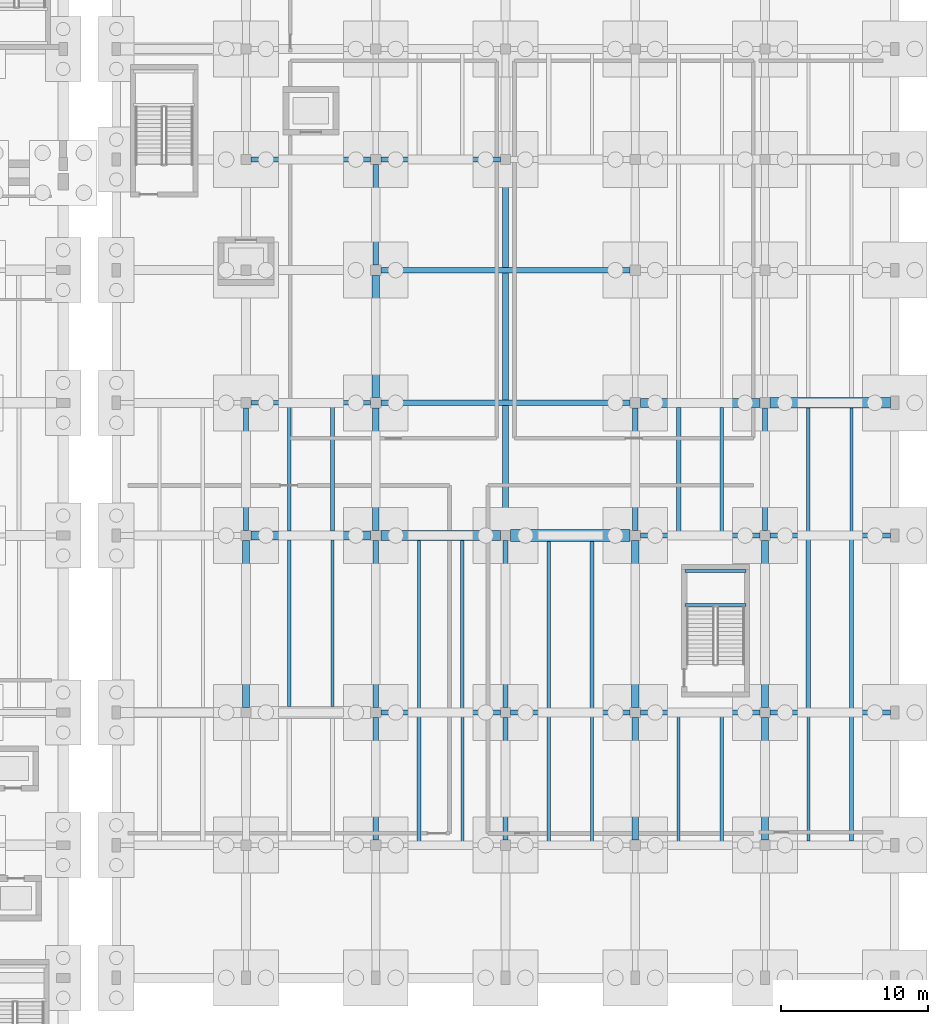
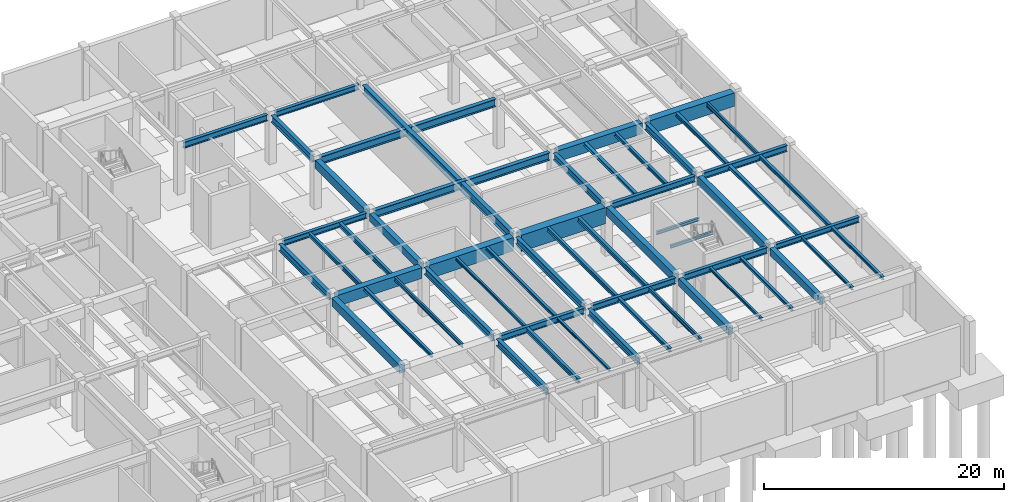
# One storey, part 40 of 69: 56 beams.
"""IFC4 building model written with IfcOpenShell, lengths in metres."""

from ifc_helpers import new_model, si_unit, direction, frame, origin, origin_2d, place, context, subcontext, project, spatial, rectangle, i_section, extrude, material, material_profile, profile_set, type_object, element, save


model = new_model("IFC4")

# Units and contexts
model_context = context("Model", 3, precision=1e-05, world=origin(), true_north=direction((0.0, 1.0)))
body_context = subcontext(model_context, "Body", "Model", "MODEL_VIEW")
ifc_project = project(units=[si_unit("LENGTHUNIT", "METRE"), si_unit("AREAUNIT", "SQUARE_METRE"), si_unit("VOLUMEUNIT", "CUBIC_METRE"), si_unit("PLANEANGLEUNIT", "RADIAN"), si_unit("MASSUNIT", "GRAM", prefix="KILO")], contexts=[model_context])

# Site, building, storey
site_placement = place(None, origin())
site = spatial("IfcSite", under=ifc_project, at=site_placement, CompositionType="ELEMENT")
building_placement = place(site_placement, origin())
building = spatial("IfcBuilding", under=site, at=building_placement, Name="Vaelkrest Opera House", CompositionType="ELEMENT")
storey_placement = place(building_placement, frame((0.0, 0.0, -5.39990234375)))
storey = spatial("IfcBuildingStorey", under=building, at=storey_placement, Name="B1", CompositionType="ELEMENT", Elevation=-5.39990234375)

# Beams
ifc_material_1 = material(Name="Concrete C50/60", Category="concrete")
ifc_material_profile_1 = material_profile(ifc_material_1, rectangle(XDim=0.449951171875, YDim=0.75, at=origin_2d()), Name="RCB450X750")
ifc_profile_set_1 = profile_set([ifc_material_profile_1], Name="Concrete C50/60")
beam_type_1 = type_object("IfcBeamType", Name="B02", PredefinedType="BEAM", material=ifc_profile_set_1)
for number, where, z_axis, x_axis, name in (
    (1, (51.199951171875, -7.449951171875, 4.6298828125), (0.0, 1.0, 0.0), (-1.0, 0.0, 0.0), "Beam BM-V4-B1-1871"),
    (2, (68.800048828125, -28.449951171875, 4.6298828125), (0.0, 1.0, 0.0), (-1.0, 0.0, 0.0), "Beam BM-V4-B1-1883"),
    (3, (77.60009765625, -28.449951171875, 4.6298828125), (0.0, 1.0, 0.0), (-1.0, 0.0, 0.0), "Beam BM-V4-B1-1891"),
):
    element("IfcBeam", number, at=place(storey_placement, frame(where, z_axis=z_axis, x_axis=x_axis)), inside=storey, type_object=beam_type_1, Name=name, PredefinedType="BEAM", context=body_context, shape_type="SweptSolid", body=[
        extrude(rectangle(XDim=0.449951171875, YDim=0.75, at=origin_2d()), origin(), (0.0, 0.0, 1.0), 8.300048828125),
    ])
ifc_material_profile_2 = material_profile(ifc_material_1, rectangle(XDim=0.5, YDim=0.85009765625, at=origin_2d()), Name="RCB500X850")
ifc_profile_set_2 = profile_set([ifc_material_profile_2], Name="Concrete C50/60")
beam_type_2 = type_object("IfcBeamType", Name="B03", PredefinedType="BEAM", material=ifc_profile_set_2)
beam_1_placement = place(storey_placement, frame((42.39990234375, -19.449951171875, 4.579833984375), z_axis=(0.0, 1.0, 0.0), x_axis=(-1.0, 0.0, 0.0)))
element("IfcBeam", 4, at=beam_1_placement, inside=storey, type_object=beam_type_2, Name="Beam BM-V4-B1-1864", PredefinedType="BEAM", context=body_context, shape_type="SweptSolid", body=[
    extrude(rectangle(XDim=0.5, YDim=0.85009765625, at=origin_2d()), origin(), (0.0, 0.0, 1.0), 11.300048828125),
])
beam_2_placement = place(storey_placement, frame((51.199951171875, 1.550048828125, 4.579833984375), z_axis=(0.0, 1.0, 0.0), x_axis=(-1.0, 0.0, 0.0)))
element("IfcBeam", 5, at=beam_2_placement, inside=storey, type_object=beam_type_2, Name="Beam BM-V4-B1-1872", PredefinedType="BEAM", context=body_context, shape_type="SweptSolid", body=[
    extrude(rectangle(XDim=0.5, YDim=0.85009765625, at=origin_2d()), origin(), (0.0, 0.0, 1.0), 8.300048828125),
])
for number, where, z_axis, x_axis, name in (
    (6, (68.800048828125, -19.449951171875, 4.579833984375), (0.0, 1.0, 0.0), (-1.0, 0.0, 0.0), "Beam BM-V4-B1-1884"),
    (7, (77.60009765625, -19.449951171875, 4.579833984375), (0.0, 1.0, 0.0), (-1.0, 0.0, 0.0), "Beam BM-V4-B1-1892"),
):
    element("IfcBeam", number, at=place(storey_placement, frame(where, z_axis=z_axis, x_axis=x_axis)), inside=storey, type_object=beam_type_2, Name=name, PredefinedType="BEAM", context=body_context, shape_type="SweptSolid", body=[
        extrude(rectangle(XDim=0.5, YDim=0.85009765625, at=origin_2d()), origin(), (0.0, 0.0, 1.0), 11.300048828125),
    ])
ifc_material_profile_3 = material_profile(ifc_material_1, rectangle(XDim=0.60009765625, YDim=1.10009765625, at=origin_2d()), Name="RCB600X1100")
ifc_profile_set_3 = profile_set([ifc_material_profile_3], Name="Concrete C50/60")
beam_type_3 = type_object("IfcBeamType", Name="B05", PredefinedType="BEAM", material=ifc_profile_set_3)
for number, where, z_axis, x_axis, name in (
    (8, (42.75, -7.800048828125, 4.454833984375), (1.0, 0.0, 0.0), (0.0, 1.0, 0.0), "Beam BM-V4-B1-1838"),
    (9, (69.14990234375, 1.199951171875, 4.454833984375), (1.0, 0.0, 0.0), (0.0, 1.0, 0.0), "Beam BM-V4-B1-1846"),
):
    element("IfcBeam", number, at=place(storey_placement, frame(where, z_axis=z_axis, x_axis=x_axis)), inside=storey, type_object=beam_type_3, Name=name, PredefinedType="BEAM", context=body_context, shape_type="SweptSolid", body=[
        extrude(rectangle(XDim=0.60009765625, YDim=1.10009765625, at=origin_2d()), origin(), (0.0, 0.0, 1.0), 8.10009765625),
    ])
ifc_material_profile_4 = material_profile(ifc_material_1, rectangle(XDim=0.699951171875, YDim=1.35009765625, at=origin_2d()), Name="RCB700X1350")
ifc_profile_set_4 = profile_set([ifc_material_profile_4], Name="Concrete C50/60")
beam_type_4 = type_object("IfcBeamType", Name="B06", PredefinedType="BEAM", material=ifc_profile_set_4)
beam_3_placement = place(storey_placement, frame((51.550048828125, -7.800048828125, 4.329833984375), z_axis=(1.0, 0.0, 0.0), x_axis=(0.0, 1.0, 0.0)))
element("IfcBeam", 10, at=beam_3_placement, inside=storey, type_object=beam_type_4, Name="Beam BM-V4-B1-1839", PredefinedType="BEAM", context=body_context, shape_type="SweptSolid", body=[
    extrude(rectangle(XDim=0.699951171875, YDim=1.35009765625, at=origin_2d()), origin(), (0.0, 0.0, 1.0), 8.099853515625),
])
beam_4_placement = place(storey_placement, frame((77.949951171875, 1.199951171875, 4.329833984375), z_axis=(1.0, 0.0, 0.0), x_axis=(0.0, 1.0, 0.0)))
element("IfcBeam", 11, at=beam_4_placement, inside=storey, type_object=beam_type_4, Name="Beam BM-V4-B1-1847", PredefinedType="BEAM", context=body_context, shape_type="SweptSolid", body=[
    extrude(rectangle(XDim=0.699951171875, YDim=1.35009765625, at=origin_2d()), origin(), (0.0, 0.0, 1.0), 8.150146484375),
])
ifc_material_profile_5 = material_profile(ifc_material_1, rectangle(XDim=0.800048828125, YDim=1.64990234375, at=origin_2d()), Name="RCB800X1650")
ifc_profile_set_5 = profile_set([ifc_material_profile_5], Name="Concrete C50/60")
beam_type_5 = type_object("IfcBeamType", Name="B07", PredefinedType="BEAM", material=ifc_profile_set_5)
beam_5_placement = place(storey_placement, frame((60.35009765625, -7.800048828125, 4.179931640625), z_axis=(1.0, 0.0, 0.0), x_axis=(0.0, 1.0, 0.0)))
element("IfcBeam", 12, at=beam_5_placement, inside=storey, type_object=beam_type_5, Name="Beam BM-V4-B1-1840", PredefinedType="BEAM", context=body_context, shape_type="SweptSolid", body=[
    extrude(rectangle(XDim=0.800048828125, YDim=1.64990234375, at=origin_2d()), origin(), (0.0, 0.0, 1.0), 8.099853515625),
])
ifc_material_2 = material(Name="Steel A992 Gr50", Category="steel")
ifc_material_profile_6 = material_profile(ifc_material_2, i_section(OverallWidth=0.323974609375, OverallDepth=0.611083984375, WebThickness=0.0126953125, FlangeThickness=0.01904296875, at=origin_2d()), Name="W24X104")
ifc_profile_set_6 = profile_set([ifc_material_profile_6], Name="Steel A992 Gr50")
beam_type_6 = type_object("IfcBeamType", Name="B08", PredefinedType="BEAM", material=ifc_profile_set_6)
beam_6_placement = place(storey_placement, frame((51.550048828125, -19.800048828125, 4.699462890625), z_axis=(1.0, 0.0, 0.0), x_axis=(0.0, 1.0, 0.0)))
element("IfcBeam", 13, at=beam_6_placement, inside=storey, type_object=beam_type_6, Name="Beam BM-V4-B1-1833", PredefinedType="BEAM", context=body_context, shape_type="SweptSolid", body=[
    extrude(i_section(OverallWidth=0.323974609375, OverallDepth=0.611083984375, WebThickness=0.0126953125, FlangeThickness=0.01904296875, at=origin_2d()), origin(), (0.0, 0.0, 1.0), 8.099853515625),
])
beam_7_placement = place(storey_placement, frame((69.14990234375, -7.800048828125, 4.699462890625), z_axis=(1.0, 0.0, 0.0), x_axis=(0.0, 1.0, 0.0)))
element("IfcBeam", 14, at=beam_7_placement, inside=storey, type_object=beam_type_6, Name="Beam BM-V4-B1-1841", PredefinedType="BEAM", context=body_context, shape_type="SweptSolid", body=[
    extrude(i_section(OverallWidth=0.323974609375, OverallDepth=0.611083984375, WebThickness=0.0126953125, FlangeThickness=0.01904296875, at=origin_2d()), origin(), (0.0, 0.0, 1.0), 8.10009765625),
])
ifc_material_profile_7 = material_profile(ifc_material_2, i_section(OverallWidth=0.327880859375, OverallDepth=0.6279296875, WebThickness=0.0166015625, FlangeThickness=0.027587890625, at=origin_2d()), Name="W24X146")
ifc_profile_set_7 = profile_set([ifc_material_profile_7], Name="Steel A992 Gr50")
beam_type_7 = type_object("IfcBeamType", Name="B09", PredefinedType="BEAM", material=ifc_profile_set_7)
beam_8_placement = place(storey_placement, frame((60.35009765625, -19.800048828125, 4.69091796875), z_axis=(1.0, 0.0, 0.0), x_axis=(0.0, 1.0, 0.0)))
element("IfcBeam", 15, at=beam_8_placement, inside=storey, type_object=beam_type_7, Name="Beam BM-V4-B1-1834", PredefinedType="BEAM", context=body_context, shape_type="SweptSolid", body=[
    extrude(i_section(OverallWidth=0.327880859375, OverallDepth=0.6279296875, WebThickness=0.0166015625, FlangeThickness=0.027587890625, at=origin_2d()), origin(), (0.0, 0.0, 1.0), 8.099853515625),
])
beam_9_placement = place(storey_placement, frame((77.949951171875, -7.800048828125, 4.69091796875), z_axis=(1.0, 0.0, 0.0), x_axis=(0.0, 1.0, 0.0)))
element("IfcBeam", 16, at=beam_9_placement, inside=storey, type_object=beam_type_7, Name="Beam BM-V4-B1-1842", PredefinedType="BEAM", context=body_context, shape_type="SweptSolid", body=[
    extrude(i_section(OverallWidth=0.327880859375, OverallDepth=0.6279296875, WebThickness=0.0166015625, FlangeThickness=0.027587890625, at=origin_2d()), origin(), (0.0, 0.0, 1.0), 8.150146484375),
])
ifc_material_profile_8 = material_profile(ifc_material_2, i_section(OverallWidth=0.35498046875, OverallDepth=0.695068359375, WebThickness=0.015380859375, FlangeThickness=0.02490234375, at=origin_2d()), Name="W27X146")
ifc_profile_set_8 = profile_set([ifc_material_profile_8], Name="Steel A992 Gr50")
beam_type_8 = type_object("IfcBeamType", Name="B10", PredefinedType="BEAM", material=ifc_profile_set_8)
for number, where, z_axis, x_axis, name in (
    (17, (42.39990234375, -7.449951171875, 4.657470703125), (0.0, 1.0, 0.0), (-1.0, 0.0, 0.0), "Beam BM-V4-B1-1865"),
    (18, (51.199951171875, -28.449951171875, 4.657470703125), (0.0, 1.0, 0.0), (-1.0, 0.0, 0.0), "Beam BM-V4-B1-1869"),
):
    element("IfcBeam", number, at=place(storey_placement, frame(where, z_axis=z_axis, x_axis=x_axis)), inside=storey, type_object=beam_type_8, Name=name, PredefinedType="BEAM", context=body_context, shape_type="SweptSolid", body=[
        extrude(i_section(OverallWidth=0.35498046875, OverallDepth=0.695068359375, WebThickness=0.015380859375, FlangeThickness=0.02490234375, at=origin_2d()), origin(), (0.0, 0.0, 1.0), 8.300048828125),
    ])
beam_10_placement = place(storey_placement, frame((51.199951171875, 10.550048828125, 4.657470703125), z_axis=(0.0, 1.0, 0.0), x_axis=(-1.0, 0.0, 0.0)))
element("IfcBeam", 19, at=beam_10_placement, inside=storey, type_object=beam_type_8, Name="Beam BM-V4-B1-1873", PredefinedType="BEAM", context=body_context, shape_type="SweptSolid", body=[
    extrude(i_section(OverallWidth=0.35498046875, OverallDepth=0.695068359375, WebThickness=0.015380859375, FlangeThickness=0.02490234375, at=origin_2d()), origin(), (0.0, 0.0, 1.0), 6.800048828125),
])
for number, where, z_axis, x_axis, name in (
    (20, (60.0, -28.449951171875, 4.657470703125), (0.0, 1.0, 0.0), (-1.0, 0.0, 0.0), "Beam BM-V4-B1-1877"),
    (21, (68.800048828125, -7.449951171875, 4.657470703125), (0.0, 1.0, 0.0), (-1.0, 0.0, 0.0), "Beam BM-V4-B1-1885"),
    (22, (77.60009765625, -7.449951171875, 4.657470703125), (0.0, 1.0, 0.0), (-1.0, 0.0, 0.0), "Beam BM-V4-B1-1893"),
):
    element("IfcBeam", number, at=place(storey_placement, frame(where, z_axis=z_axis, x_axis=x_axis)), inside=storey, type_object=beam_type_8, Name=name, PredefinedType="BEAM", context=body_context, shape_type="SweptSolid", body=[
        extrude(i_section(OverallWidth=0.35498046875, OverallDepth=0.695068359375, WebThickness=0.015380859375, FlangeThickness=0.02490234375, at=origin_2d()), origin(), (0.0, 0.0, 1.0), 8.300048828125),
    ])
ifc_material_profile_9 = material_profile(ifc_material_2, i_section(OverallWidth=0.381103515625, OverallDepth=0.77294921875, WebThickness=0.0166015625, FlangeThickness=0.027099609375, at=origin_2d()), Name="W30X173")
ifc_profile_set_9 = profile_set([ifc_material_profile_9], Name="Steel A992 Gr50")
beam_type_9 = type_object("IfcBeamType", Name="B11", PredefinedType="BEAM", material=ifc_profile_set_9)
beam_11_placement = place(storey_placement, frame((51.550048828125, 1.199951171875, 4.618408203125), z_axis=(1.0, 0.0, 0.0), x_axis=(0.0, 1.0, 0.0)))
element("IfcBeam", 23, at=beam_11_placement, inside=storey, type_object=beam_type_9, Name="Beam BM-V4-B1-1845", PredefinedType="BEAM", context=body_context, shape_type="SweptSolid", body=[
    extrude(i_section(OverallWidth=0.381103515625, OverallDepth=0.77294921875, WebThickness=0.0166015625, FlangeThickness=0.027099609375, at=origin_2d()), origin(), (0.0, 0.0, 1.0), 16.89990234375),
])
ifc_material_profile_10 = material_profile(ifc_material_2, i_section(OverallWidth=0.39892578125, OverallDepth=0.85498046875, WebThickness=0.018310546875, FlangeThickness=0.029296875, at=origin_2d()), Name="W33X201")
ifc_profile_set_10 = profile_set([ifc_material_profile_10], Name="Steel A992 Gr50")
beam_type_10 = type_object("IfcBeamType", Name="B12", PredefinedType="BEAM", material=ifc_profile_set_10)
beam_12_placement = place(storey_placement, frame((60.0, -7.449951171875, 4.577392578125), z_axis=(0.0, 1.0, 0.0), x_axis=(-1.0, 0.0, 0.0)))
element("IfcBeam", 24, at=beam_12_placement, inside=storey, type_object=beam_type_10, Name="Beam BM-V4-B1-1879", PredefinedType="BEAM", context=body_context, shape_type="SweptSolid", body=[
    extrude(i_section(OverallWidth=0.39892578125, OverallDepth=0.85498046875, WebThickness=0.018310546875, FlangeThickness=0.029296875, at=origin_2d()), origin(), (0.0, 0.0, 1.0), 24.800048828125),
])
ifc_material_profile_11 = material_profile(ifc_material_2, i_section(OverallWidth=0.35791015625, OverallDepth=0.7060546875, WebThickness=0.018310546875, FlangeThickness=0.0302734375, at=origin_2d()), Name="W27X178")
ifc_profile_set_11 = profile_set([ifc_material_profile_11], Name="Steel A992 Gr50")
beam_type_11 = type_object("IfcBeamType", Name="B14", PredefinedType="BEAM", material=ifc_profile_set_11)
for number, where, z_axis, x_axis, name in (
    (25, (51.199951171875, -19.449951171875, 4.65185546875), (0.0, 1.0, 0.0), (-1.0, 0.0, 0.0), "Beam BM-V4-B1-1870"),
    (26, (60.0, -19.449951171875, 4.65185546875), (0.0, 1.0, 0.0), (-1.0, 0.0, 0.0), "Beam BM-V4-B1-1878"),
):
    element("IfcBeam", number, at=place(storey_placement, frame(where, z_axis=z_axis, x_axis=x_axis)), inside=storey, type_object=beam_type_11, Name=name, PredefinedType="BEAM", context=body_context, shape_type="SweptSolid", body=[
        extrude(i_section(OverallWidth=0.35791015625, OverallDepth=0.7060546875, WebThickness=0.018310546875, FlangeThickness=0.0302734375, at=origin_2d()), origin(), (0.0, 0.0, 1.0), 11.300048828125),
    ])
ifc_material_profile_12 = material_profile(ifc_material_2, i_section(OverallWidth=0.384033203125, OverallDepth=0.785888671875, WebThickness=0.019775390625, FlangeThickness=0.033447265625, at=origin_2d()), Name="W30X211")
ifc_profile_set_12 = profile_set([ifc_material_profile_12], Name="Steel A992 Gr50")
beam_type_12 = type_object("IfcBeamType", Name="B16", PredefinedType="BEAM", material=ifc_profile_set_12)
beam_13_placement = place(storey_placement, frame((51.550048828125, 10.199951171875, 4.61181640625), z_axis=(1.0, 0.0, 0.0), x_axis=(0.0, 1.0, 0.0)))
element("IfcBeam", 27, at=beam_13_placement, inside=storey, type_object=beam_type_12, Name="Beam BM-V4-B1-1848", PredefinedType="BEAM", context=body_context, shape_type="SweptSolid", body=[
    extrude(i_section(OverallWidth=0.384033203125, OverallDepth=0.785888671875, WebThickness=0.019775390625, FlangeThickness=0.033447265625, at=origin_2d()), origin(), (0.0, 0.0, 1.0), 16.89990234375),
])
ifc_material_profile_13 = material_profile(ifc_material_2, i_section(OverallWidth=0.326904296875, OverallDepth=0.6220703125, WebThickness=0.015380859375, FlangeThickness=0.0244140625, at=origin_2d()), Name="W24X131")
ifc_profile_set_13 = profile_set([ifc_material_profile_13], Name="Steel A992 Gr50")
beam_type_13 = type_object("IfcBeamType", Name="B19", PredefinedType="BEAM", material=ifc_profile_set_13)
for number, where, z_axis, x_axis, name in (
    (28, (69.14990234375, -19.800048828125, 4.69384765625), (1.0, 0.0, 0.0), (0.0, 1.0, 0.0), "Beam BM-V4-B1-1835"),
    (29, (42.75, 17.699951171875, 4.69384765625), (1.0, 0.0, 0.0), (0.0, 1.0, 0.0), "Beam BM-V4-B1-1851"),
):
    element("IfcBeam", number, at=place(storey_placement, frame(where, z_axis=z_axis, x_axis=x_axis)), inside=storey, type_object=beam_type_13, Name=name, PredefinedType="BEAM", context=body_context, shape_type="SweptSolid", body=[
        extrude(i_section(OverallWidth=0.326904296875, OverallDepth=0.6220703125, WebThickness=0.015380859375, FlangeThickness=0.0244140625, at=origin_2d()), origin(), (0.0, 0.0, 1.0), 8.10009765625),
    ])
ifc_material_profile_14 = material_profile(ifc_material_2, i_section(OverallWidth=0.31494140625, OverallDepth=0.551025390625, WebThickness=0.01513671875, FlangeThickness=0.0244140625, at=origin_2d()), Name="W21X122")
ifc_profile_set_14 = profile_set([ifc_material_profile_14], Name="Steel A992 Gr50")
beam_type_14 = type_object("IfcBeamType", Name="B20", PredefinedType="BEAM", material=ifc_profile_set_14)
beam_14_placement = place(storey_placement, frame((77.949951171875, -19.800048828125, 4.7294921875), z_axis=(1.0, 0.0, 0.0), x_axis=(0.0, 1.0, 0.0)))
element("IfcBeam", 30, at=beam_14_placement, inside=storey, type_object=beam_type_14, Name="Beam BM-V4-B1-1836", PredefinedType="BEAM", context=body_context, shape_type="SweptSolid", body=[
    extrude(i_section(OverallWidth=0.31494140625, OverallDepth=0.551025390625, WebThickness=0.01513671875, FlangeThickness=0.0244140625, at=origin_2d()), origin(), (0.0, 0.0, 1.0), 8.150146484375),
])
beam_15_placement = place(storey_placement, frame((42.75, 1.199951171875, 4.7294921875), z_axis=(1.0, 0.0, 0.0), x_axis=(0.0, 1.0, 0.0)))
element("IfcBeam", 31, at=beam_15_placement, inside=storey, type_object=beam_type_14, Name="Beam BM-V4-B1-1844", PredefinedType="BEAM", context=body_context, shape_type="SweptSolid", body=[
    extrude(i_section(OverallWidth=0.31494140625, OverallDepth=0.551025390625, WebThickness=0.01513671875, FlangeThickness=0.0244140625, at=origin_2d()), origin(), (0.0, 0.0, 1.0), 8.10009765625),
])
beam_16_placement = place(storey_placement, frame((51.550048828125, 17.699951171875, 4.7294921875), z_axis=(1.0, 0.0, 0.0), x_axis=(0.0, 1.0, 0.0)))
element("IfcBeam", 32, at=beam_16_placement, inside=storey, type_object=beam_type_14, Name="Beam BM-V4-B1-1852", PredefinedType="BEAM", context=body_context, shape_type="SweptSolid", body=[
    extrude(i_section(OverallWidth=0.31494140625, OverallDepth=0.551025390625, WebThickness=0.01513671875, FlangeThickness=0.0244140625, at=origin_2d()), origin(), (0.0, 0.0, 1.0), 8.099853515625),
])
ifc_material_profile_15 = material_profile(ifc_material_2, i_section(OverallWidth=0.2041015625, OverallDepth=0.257080078125, WebThickness=0.0087890625, FlangeThickness=0.015625, at=origin_2d()), Name="W10X45")
ifc_profile_set_15 = profile_set([ifc_material_profile_15], Name="Steel A992 Gr50")
beam_type_15 = type_object("IfcBeamType", Name="J01", PredefinedType="JOIST", material=ifc_profile_set_15)
beam_17_placement = place(storey_placement, frame((57.06689453125, -28.636474609375, 4.87646484375), z_axis=(0.0, 1.0, 0.0), x_axis=(-1.0, 0.0, 0.0)))
element("IfcBeam", 33, at=beam_17_placement, inside=storey, type_object=beam_type_15, Name="Floor joist JST-V4-B1-1911", PredefinedType="JOIST", context=body_context, shape_type="SweptSolid", body=[
    extrude(i_section(OverallWidth=0.2041015625, OverallDepth=0.257080078125, WebThickness=0.0087890625, FlangeThickness=0.015625, at=origin_2d()), origin(), (0.0, 0.0, 1.0), 8.674560546875),
])
ifc_material_profile_16 = material_profile(ifc_material_2, i_section(OverallWidth=0.202880859375, OverallDepth=0.302978515625, WebThickness=0.007568359375, FlangeThickness=0.01318359375, at=origin_2d()), Name="W12X40")
ifc_profile_set_16 = profile_set([ifc_material_profile_16], Name="Steel A992 Gr50")
beam_type_16 = type_object("IfcBeamType", Name="J02", PredefinedType="JOIST", material=ifc_profile_set_16)
beam_18_placement = place(storey_placement, frame((54.133056640625, -19.637939453125, 4.853515625), z_axis=(0.0, 1.0, 0.0), x_axis=(-1.0, 0.0, 0.0)))
element("IfcBeam", 34, at=beam_18_placement, inside=storey, type_object=beam_type_16, Name="Floor joist JST-V4-B1-1912", PredefinedType="JOIST", context=body_context, shape_type="SweptSolid", body=[
    extrude(i_section(OverallWidth=0.202880859375, OverallDepth=0.302978515625, WebThickness=0.007568359375, FlangeThickness=0.01318359375, at=origin_2d()), origin(), (0.0, 0.0, 1.0), 11.488037109375),
])
beam_19_placement = place(storey_placement, frame((71.73291015625, -28.60009765625, 4.853515625), z_axis=(0.0, 1.0, 0.0), x_axis=(-1.0, 0.0, 0.0)))
element("IfcBeam", 35, at=beam_19_placement, inside=storey, type_object=beam_type_16, Name="Floor joist JST-V4-B1-1922", PredefinedType="JOIST", context=body_context, shape_type="SweptSolid", body=[
    extrude(i_section(OverallWidth=0.202880859375, OverallDepth=0.302978515625, WebThickness=0.007568359375, FlangeThickness=0.01318359375, at=origin_2d()), origin(), (0.0, 0.0, 1.0), 8.63671875),
])
beam_20_placement = place(storey_placement, frame((80.532958984375, -28.5, 4.853515625), z_axis=(0.0, 1.0, 0.0), x_axis=(-1.0, 0.0, 0.0)))
element("IfcBeam", 36, at=beam_20_placement, inside=storey, type_object=beam_type_16, Name="Floor joist JST-V4-B1-1932", PredefinedType="JOIST", context=body_context, shape_type="SweptSolid", body=[
    extrude(i_section(OverallWidth=0.202880859375, OverallDepth=0.302978515625, WebThickness=0.007568359375, FlangeThickness=0.01318359375, at=origin_2d()), origin(), (0.0, 0.0, 1.0), 8.54248046875),
])
for number, where, z_axis, x_axis, name in (
    (37, (72.179931640625, -12.510009765625, 2.348388671875), (1.0, 0.0, 0.0), (0.0, 1.0, 0.0), "Stair landing bearer beam ST10 B1-1N"),
    (38, (72.179931640625, -10.219970703125, 2.348388671875), (1.0, 0.0, 0.0), (0.0, 1.0, 0.0), "Stair landing bearer beam ST10 B1-1F"),
):
    element("IfcBeam", number, at=place(storey_placement, frame(where, z_axis=z_axis, x_axis=x_axis)), inside=storey, type_object=beam_type_16, Name=name, PredefinedType="JOIST", context=body_context, shape_type="SweptSolid", body=[
        extrude(i_section(OverallWidth=0.202880859375, OverallDepth=0.302978515625, WebThickness=0.007568359375, FlangeThickness=0.01318359375, at=origin_2d()), origin(), (0.0, 0.0, 1.0), 4.14013671875),
    ])
ifc_material_profile_17 = material_profile(ifc_material_2, i_section(OverallWidth=0.25390625, OverallDepth=0.305908203125, WebThickness=0.0087890625, FlangeThickness=0.0146484375, at=origin_2d()), Name="W12X53")
ifc_profile_set_17 = profile_set([ifc_material_profile_17], Name="Steel A992 Gr50")
beam_type_17 = type_object("IfcBeamType", Name="J03", PredefinedType="JOIST", material=ifc_profile_set_17)
beam_21_placement = place(storey_placement, frame((57.06689453125, -19.637939453125, 4.851806640625), z_axis=(0.0, 1.0, 0.0), x_axis=(-1.0, 0.0, 0.0)))
element("IfcBeam", 39, at=beam_21_placement, inside=storey, type_object=beam_type_17, Name="Floor joist JST-V4-B1-1913", PredefinedType="JOIST", context=body_context, shape_type="SweptSolid", body=[
    extrude(i_section(OverallWidth=0.25390625, OverallDepth=0.305908203125, WebThickness=0.0087890625, FlangeThickness=0.0146484375, at=origin_2d()), origin(), (0.0, 0.0, 1.0), 11.488037109375),
])
beam_22_placement = place(storey_placement, frame((74.6669921875, -28.60009765625, 4.851806640625), z_axis=(0.0, 1.0, 0.0), x_axis=(-1.0, 0.0, 0.0)))
element("IfcBeam", 40, at=beam_22_placement, inside=storey, type_object=beam_type_17, Name="Floor joist JST-V4-B1-1923", PredefinedType="JOIST", context=body_context, shape_type="SweptSolid", body=[
    extrude(i_section(OverallWidth=0.25390625, OverallDepth=0.305908203125, WebThickness=0.0087890625, FlangeThickness=0.0146484375, at=origin_2d()), origin(), (0.0, 0.0, 1.0), 8.63671875),
])
beam_23_placement = place(storey_placement, frame((83.467041015625, -28.5, 4.851806640625), z_axis=(0.0, 1.0, 0.0), x_axis=(-1.0, 0.0, 0.0)))
element("IfcBeam", 41, at=beam_23_placement, inside=storey, type_object=beam_type_17, Name="Floor joist JST-V4-B1-1933", PredefinedType="JOIST", context=body_context, shape_type="SweptSolid", body=[
    extrude(i_section(OverallWidth=0.25390625, OverallDepth=0.305908203125, WebThickness=0.0087890625, FlangeThickness=0.0146484375, at=origin_2d()), origin(), (0.0, 0.0, 1.0), 8.54248046875),
])
ifc_material_profile_18 = material_profile(ifc_material_2, i_section(OverallWidth=0.304931640625, OverallDepth=0.30810546875, WebThickness=0.010009765625, FlangeThickness=0.015380859375, at=origin_2d()), Name="W12X65")
ifc_profile_set_18 = profile_set([ifc_material_profile_18], Name="Steel A992 Gr50")
beam_type_18 = type_object("IfcBeamType", Name="J04", PredefinedType="JOIST", material=ifc_profile_set_18)
beam_24_placement = place(storey_placement, frame((71.73291015625, -7.637939453125, 4.850830078125), z_axis=(0.0, 1.0, 0.0), x_axis=(-1.0, 0.0, 0.0)))
element("IfcBeam", 42, at=beam_24_placement, inside=storey, type_object=beam_type_18, Name="Floor joist JST-V4-B1-1924", PredefinedType="JOIST", context=body_context, shape_type="SweptSolid", body=[
    extrude(i_section(OverallWidth=0.304931640625, OverallDepth=0.30810546875, WebThickness=0.010009765625, FlangeThickness=0.015380859375, at=origin_2d()), origin(), (0.0, 0.0, 1.0), 8.537841796875),
])
beam_25_placement = place(storey_placement, frame((80.532958984375, -19.642578125, 4.850830078125), z_axis=(0.0, 1.0, 0.0), x_axis=(-1.0, 0.0, 0.0)))
element("IfcBeam", 43, at=beam_25_placement, inside=storey, type_object=beam_type_18, Name="Floor joist JST-V4-B1-1934", PredefinedType="JOIST", context=body_context, shape_type="SweptSolid", body=[
    extrude(i_section(OverallWidth=0.304931640625, OverallDepth=0.30810546875, WebThickness=0.010009765625, FlangeThickness=0.015380859375, at=origin_2d()), origin(), (0.0, 0.0, 1.0), 11.678466796875),
])
ifc_material_profile_19 = material_profile(ifc_material_2, i_section(OverallWidth=0.2548828125, OverallDepth=0.35693359375, WebThickness=0.010498046875, FlangeThickness=0.018310546875, at=origin_2d()), Name="W14X68")
ifc_profile_set_19 = profile_set([ifc_material_profile_19], Name="Steel A992 Gr50")
beam_type_19 = type_object("IfcBeamType", Name="J05", PredefinedType="JOIST", material=ifc_profile_set_19)
beam_26_placement = place(storey_placement, frame((74.6669921875, -7.637939453125, 4.826416015625), z_axis=(0.0, 1.0, 0.0), x_axis=(-1.0, 0.0, 0.0)))
element("IfcBeam", 44, at=beam_26_placement, inside=storey, type_object=beam_type_19, Name="Floor joist JST-V4-B1-1925", PredefinedType="JOIST", context=body_context, shape_type="SweptSolid", body=[
    extrude(i_section(OverallWidth=0.2548828125, OverallDepth=0.35693359375, WebThickness=0.010498046875, FlangeThickness=0.018310546875, at=origin_2d()), origin(), (0.0, 0.0, 1.0), 8.537841796875),
])
beam_27_placement = place(storey_placement, frame((83.467041015625, -19.642578125, 4.826416015625), z_axis=(0.0, 1.0, 0.0), x_axis=(-1.0, 0.0, 0.0)))
element("IfcBeam", 45, at=beam_27_placement, inside=storey, type_object=beam_type_19, Name="Floor joist JST-V4-B1-1935", PredefinedType="JOIST", context=body_context, shape_type="SweptSolid", body=[
    extrude(i_section(OverallWidth=0.2548828125, OverallDepth=0.35693359375, WebThickness=0.010498046875, FlangeThickness=0.018310546875, at=origin_2d()), origin(), (0.0, 0.0, 1.0), 11.678466796875),
])
ifc_material_profile_20 = material_profile(ifc_material_2, i_section(OverallWidth=0.257080078125, OverallDepth=0.363037109375, WebThickness=0.012939453125, FlangeThickness=0.021728515625, at=origin_2d()), Name="W14X82")
ifc_profile_set_20 = profile_set([ifc_material_profile_20], Name="Steel A992 Gr50")
beam_type_20 = type_object("IfcBeamType", Name="J06", PredefinedType="JOIST", material=ifc_profile_set_20)
beam_28_placement = place(storey_placement, frame((45.3330078125, -19.39990234375, 4.823486328125), z_axis=(0.0, 1.0, 0.0), x_axis=(-1.0, 0.0, 0.0)))
element("IfcBeam", 46, at=beam_28_placement, inside=storey, type_object=beam_type_20, Name="Floor joist JST-V4-B1-1906", PredefinedType="JOIST", context=body_context, shape_type="SweptSolid", body=[
    extrude(i_section(OverallWidth=0.257080078125, OverallDepth=0.363037109375, WebThickness=0.012939453125, FlangeThickness=0.021728515625, at=origin_2d()), origin(), (0.0, 0.0, 1.0), 11.2998046875),
])
beam_29_placement = place(storey_placement, frame((62.93310546875, -28.642578125, 4.823486328125), z_axis=(0.0, 1.0, 0.0), x_axis=(-1.0, 0.0, 0.0)))
element("IfcBeam", 47, at=beam_29_placement, inside=storey, type_object=beam_type_20, Name="Floor joist JST-V4-B1-1916", PredefinedType="JOIST", context=body_context, shape_type="SweptSolid", body=[
    extrude(i_section(OverallWidth=0.257080078125, OverallDepth=0.363037109375, WebThickness=0.012939453125, FlangeThickness=0.021728515625, at=origin_2d()), origin(), (0.0, 0.0, 1.0), 8.678466796875),
])
beam_30_placement = place(storey_placement, frame((80.532958984375, -7.635986328125, 4.823486328125), z_axis=(0.0, 1.0, 0.0), x_axis=(-1.0, 0.0, 0.0)))
element("IfcBeam", 48, at=beam_30_placement, inside=storey, type_object=beam_type_20, Name="Floor joist JST-V4-B1-1936", PredefinedType="JOIST", context=body_context, shape_type="SweptSolid", body=[
    extrude(i_section(OverallWidth=0.257080078125, OverallDepth=0.363037109375, WebThickness=0.012939453125, FlangeThickness=0.021728515625, at=origin_2d()), origin(), (0.0, 0.0, 1.0), 8.486083984375),
])
ifc_material_profile_21 = material_profile(ifc_material_2, i_section(OverallWidth=0.180908203125, OverallDepth=0.4169921875, WebThickness=0.010986328125, FlangeThickness=0.018310546875, at=origin_2d()), Name="W16X57")
ifc_profile_set_21 = profile_set([ifc_material_profile_21], Name="Steel A992 Gr50")
beam_type_21 = type_object("IfcBeamType", Name="J07", PredefinedType="JOIST", material=ifc_profile_set_21)
beam_31_placement = place(storey_placement, frame((48.26708984375, -19.39990234375, 4.79638671875), z_axis=(0.0, 1.0, 0.0), x_axis=(-1.0, 0.0, 0.0)))
element("IfcBeam", 49, at=beam_31_placement, inside=storey, type_object=beam_type_21, Name="Floor joist JST-V4-B1-1907", PredefinedType="JOIST", context=body_context, shape_type="SweptSolid", body=[
    extrude(i_section(OverallWidth=0.180908203125, OverallDepth=0.4169921875, WebThickness=0.010986328125, FlangeThickness=0.018310546875, at=origin_2d()), origin(), (0.0, 0.0, 1.0), 11.2998046875),
])
beam_32_placement = place(storey_placement, frame((65.866943359375, -28.642578125, 4.79638671875), z_axis=(0.0, 1.0, 0.0), x_axis=(-1.0, 0.0, 0.0)))
element("IfcBeam", 50, at=beam_32_placement, inside=storey, type_object=beam_type_21, Name="Floor joist JST-V4-B1-1917", PredefinedType="JOIST", context=body_context, shape_type="SweptSolid", body=[
    extrude(i_section(OverallWidth=0.180908203125, OverallDepth=0.4169921875, WebThickness=0.010986328125, FlangeThickness=0.018310546875, at=origin_2d()), origin(), (0.0, 0.0, 1.0), 8.678466796875),
])
beam_33_placement = place(storey_placement, frame((83.467041015625, -7.635986328125, 4.79638671875), z_axis=(0.0, 1.0, 0.0), x_axis=(-1.0, 0.0, 0.0)))
element("IfcBeam", 51, at=beam_33_placement, inside=storey, type_object=beam_type_21, Name="Floor joist JST-V4-B1-1937", PredefinedType="JOIST", context=body_context, shape_type="SweptSolid", body=[
    extrude(i_section(OverallWidth=0.180908203125, OverallDepth=0.4169921875, WebThickness=0.010986328125, FlangeThickness=0.018310546875, at=origin_2d()), origin(), (0.0, 0.0, 1.0), 8.486083984375),
])
ifc_material_profile_22 = material_profile(ifc_material_2, i_section(OverallWidth=0.261962890625, OverallDepth=0.4189453125, WebThickness=0.01171875, FlangeThickness=0.019287109375, at=origin_2d()), Name="W16X77")
ifc_profile_set_22 = profile_set([ifc_material_profile_22], Name="Steel A992 Gr50")
beam_type_22 = type_object("IfcBeamType", Name="J08", PredefinedType="JOIST", material=ifc_profile_set_22)
beam_34_placement = place(storey_placement, frame((45.3330078125, -7.5, 4.79541015625), z_axis=(0.0, 1.0, 0.0), x_axis=(-1.0, 0.0, 0.0)))
element("IfcBeam", 52, at=beam_34_placement, inside=storey, type_object=beam_type_22, Name="Floor joist JST-V4-B1-1908", PredefinedType="JOIST", context=body_context, shape_type="SweptSolid", body=[
    extrude(i_section(OverallWidth=0.261962890625, OverallDepth=0.4189453125, WebThickness=0.01171875, FlangeThickness=0.019287109375, at=origin_2d()), origin(), (0.0, 0.0, 1.0), 8.54248046875),
])
beam_35_placement = place(storey_placement, frame((62.93310546875, -19.635986328125, 4.79541015625), z_axis=(0.0, 1.0, 0.0), x_axis=(-1.0, 0.0, 0.0)))
element("IfcBeam", 53, at=beam_35_placement, inside=storey, type_object=beam_type_22, Name="Floor joist JST-V4-B1-1918", PredefinedType="JOIST", context=body_context, shape_type="SweptSolid", body=[
    extrude(i_section(OverallWidth=0.261962890625, OverallDepth=0.4189453125, WebThickness=0.01171875, FlangeThickness=0.019287109375, at=origin_2d()), origin(), (0.0, 0.0, 1.0), 11.43603515625),
])
ifc_material_profile_23 = material_profile(ifc_material_2, i_section(OverallWidth=0.280029296875, OverallDepth=0.462890625, WebThickness=0.0107421875, FlangeThickness=0.017333984375, at=origin_2d()), Name="W18X76")
ifc_profile_set_23 = profile_set([ifc_material_profile_23], Name="Steel A992 Gr50")
beam_type_23 = type_object("IfcBeamType", Name="J09", PredefinedType="JOIST", material=ifc_profile_set_23)
beam_36_placement = place(storey_placement, frame((48.26708984375, -7.5, 4.7734375), z_axis=(0.0, 1.0, 0.0), x_axis=(-1.0, 0.0, 0.0)))
element("IfcBeam", 54, at=beam_36_placement, inside=storey, type_object=beam_type_23, Name="Floor joist JST-V4-B1-1909", PredefinedType="JOIST", context=body_context, shape_type="SweptSolid", body=[
    extrude(i_section(OverallWidth=0.280029296875, OverallDepth=0.462890625, WebThickness=0.0107421875, FlangeThickness=0.017333984375, at=origin_2d()), origin(), (0.0, 0.0, 1.0), 8.54248046875),
])
beam_37_placement = place(storey_placement, frame((65.866943359375, -19.635986328125, 4.7734375), z_axis=(0.0, 1.0, 0.0), x_axis=(-1.0, 0.0, 0.0)))
element("IfcBeam", 55, at=beam_37_placement, inside=storey, type_object=beam_type_23, Name="Floor joist JST-V4-B1-1919", PredefinedType="JOIST", context=body_context, shape_type="SweptSolid", body=[
    extrude(i_section(OverallWidth=0.280029296875, OverallDepth=0.462890625, WebThickness=0.0107421875, FlangeThickness=0.017333984375, at=origin_2d()), origin(), (0.0, 0.0, 1.0), 11.43603515625),
])
ifc_material_profile_24 = material_profile(ifc_material_2, i_section(OverallWidth=0.282958984375, OverallDepth=0.471923828125, WebThickness=0.013671875, FlangeThickness=0.022216796875, at=origin_2d()), Name="W18X97")
ifc_profile_set_24 = profile_set([ifc_material_profile_24], Name="Steel A992 Gr50")
beam_type_24 = type_object("IfcBeamType", Name="J10", PredefinedType="JOIST", material=ifc_profile_set_24)
beam_38_placement = place(storey_placement, frame((54.133056640625, -28.636474609375, 4.768798828125), z_axis=(0.0, 1.0, 0.0), x_axis=(-1.0, 0.0, 0.0)))
element("IfcBeam", 56, at=beam_38_placement, inside=storey, type_object=beam_type_24, Name="Floor joist JST-V4-B1-1910", PredefinedType="JOIST", context=body_context, shape_type="SweptSolid", body=[
    extrude(i_section(OverallWidth=0.282958984375, OverallDepth=0.471923828125, WebThickness=0.013671875, FlangeThickness=0.022216796875, at=origin_2d()), origin(), (0.0, 0.0, 1.0), 8.674560546875),
])

save(model, "model.ifc")
